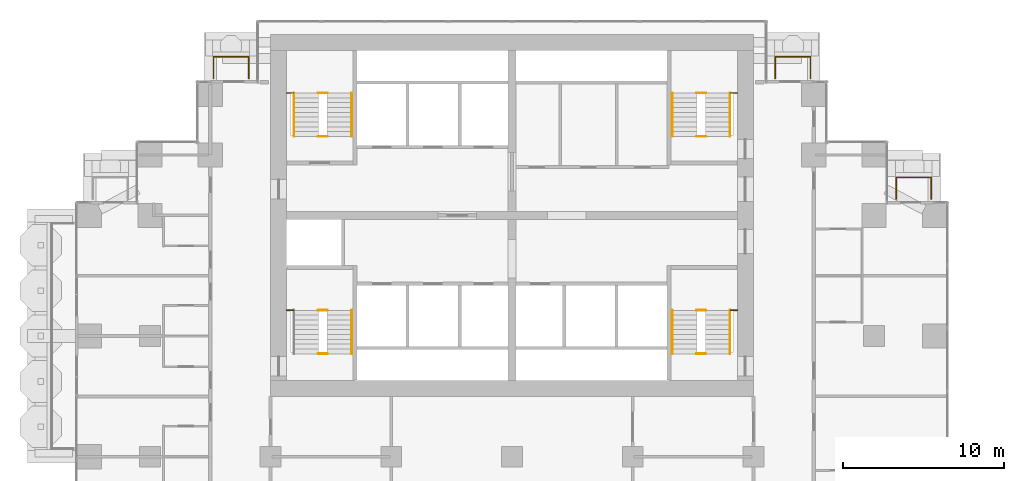
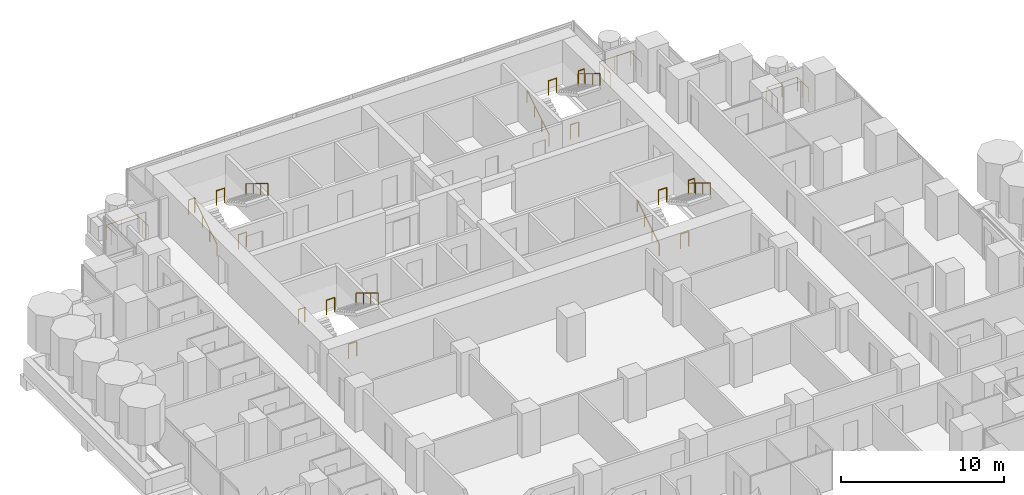
# One storey, part 17 of 18: 22 railings.
"""IFC4 building model written with IfcOpenShell, lengths in metres."""

from ifc_helpers import new_model, si_unit, direction, frame, origin, origin_2d, place, context, subcontext, project, spatial, circle, extrude, material, type_object, element, save


model = new_model("IFC4")

# Units and contexts
model_context = context("Model", 3, precision=1e-05, world=origin(), true_north=direction((0.0, 1.0)))
body_context = subcontext(model_context, "Body", "Model", "MODEL_VIEW")
ifc_project = project(units=[si_unit("LENGTHUNIT", "METRE"), si_unit("AREAUNIT", "SQUARE_METRE"), si_unit("VOLUMEUNIT", "CUBIC_METRE"), si_unit("PLANEANGLEUNIT", "RADIAN"), si_unit("MASSUNIT", "GRAM", prefix="KILO")], contexts=[model_context])

# Site, building, storey
site_placement = place(None, origin())
site = spatial("IfcSite", under=ifc_project, at=site_placement, CompositionType="ELEMENT")
building_placement = place(site_placement, origin())
building = spatial("IfcBuilding", under=site, at=building_placement, Name="Pilkhan Gate Tower", CompositionType="ELEMENT")
storey_placement = place(building_placement, frame((0.0, 0.0, 75.800048828125)))
storey = spatial("IfcBuildingStorey", under=building, at=storey_placement, Name="L17", CompositionType="ELEMENT", Elevation=75.800048828125)

# Railings
ifc_material_1 = material(Name="Pale anodised aluminium posts, laminated glass infill", Category="aluminium")
railing_type_1 = type_object("IfcRailingType", Name="Balcony guard G1", PredefinedType="BALUSTRADE", material=ifc_material_1)
for number, where, name in (
    (1, (56.449951171875, 91.0, 0.0), "Balcony guard L17 N"),
    (2, (91.35009765625, 91.0, 0.0), "Balcony guard L17 N"),
):
    element("IfcRailing", number, at=place(storey_placement, frame(where)), inside=storey, type_object=railing_type_1, Name=name, PredefinedType="BALUSTRADE", context=body_context, shape_type="SweptSolid", body=[
        extrude(circle(Radius=0.02392578125, at=origin_2d()), frame((0.0, 0.0, 1.076171875), z_axis=(0.0, 1.0, 0.0), x_axis=(-1.0, 0.0, 0.0)), (0.0, 0.0, 1.0), 1.35009765625),
        extrude(circle(Radius=0.02392578125, at=origin_2d()), frame((0.0, 1.35009765625, 1.076171875), z_axis=(1.0, 0.0, 0.0), x_axis=(0.0, 1.0, 0.0)), (0.0, 0.0, 1.0), 2.199951171875),
        extrude(circle(Radius=0.02392578125, at=origin_2d()), frame((2.199951171875, 1.35009765625, 1.076171875), z_axis=(0.0, -1.0, 0.0), x_axis=(1.0, 0.0, 0.0)), (0.0, 0.0, 1.0), 1.35009765625),
        extrude(circle(Radius=0.02099609375, at=origin_2d()), origin(), (0.0, 0.0, 1.0), 1.052001953125),
        extrude(circle(Radius=0.02099609375, at=origin_2d()), frame((0.0, 0.675048828125, 0.0)), (0.0, 0.0, 1.0), 1.052001953125),
        extrude(circle(Radius=0.02099609375, at=origin_2d()), frame((0.0, 1.35009765625, 0.0)), (0.0, 0.0, 1.0), 1.052001953125),
        extrude(circle(Radius=0.02099609375, at=origin_2d()), frame((1.10009765625, 1.35009765625, 0.0)), (0.0, 0.0, 1.0), 1.052001953125),
        extrude(circle(Radius=0.02099609375, at=origin_2d()), frame((2.199951171875, 1.35009765625, 0.0)), (0.0, 0.0, 1.0), 1.052001953125),
        extrude(circle(Radius=0.02099609375, at=origin_2d()), frame((2.199951171875, 0.675048828125, 0.0)), (0.0, 0.0, 1.0), 1.052001953125),
        extrude(circle(Radius=0.02099609375, at=origin_2d()), frame((2.199951171875, 0.0, 0.0)), (0.0, 0.0, 1.0), 1.052001953125),
    ])
railing_1_placement = place(storey_placement, frame((98.8701171875, 83.52001953125, 0.0)))
element("IfcRailing", 3, at=railing_1_placement, inside=storey, type_object=railing_type_1, Name="Balcony guard L17 N", PredefinedType="BALUSTRADE", context=body_context, shape_type="SweptSolid", body=[
    extrude(circle(Radius=0.02392578125, at=origin_2d()), frame((0.0, 0.0, 1.076171875), z_axis=(0.0, 1.0, 0.0), x_axis=(-1.0, 0.0, 0.0)), (0.0, 0.0, 1.0), 1.330078125),
    extrude(circle(Radius=0.02392578125, at=origin_2d()), frame((0.0, 1.330078125, 1.076171875), z_axis=(1.0, 0.0, 0.0), x_axis=(0.0, 1.0, 0.0)), (0.0, 0.0, 1.0), 2.179931640625),
    extrude(circle(Radius=0.02392578125, at=origin_2d()), frame((2.179931640625, 1.330078125, 1.076171875), z_axis=(0.0, -1.0, 0.0), x_axis=(1.0, 0.0, 0.0)), (0.0, 0.0, 1.0), 1.330078125),
    extrude(circle(Radius=0.02099609375, at=origin_2d()), origin(), (0.0, 0.0, 1.0), 1.052001953125),
    extrude(circle(Radius=0.02099609375, at=origin_2d()), frame((0.0, 0.6650390625, 0.0)), (0.0, 0.0, 1.0), 1.052001953125),
    extrude(circle(Radius=0.02099609375, at=origin_2d()), frame((0.0, 1.330078125, 0.0)), (0.0, 0.0, 1.0), 1.052001953125),
    extrude(circle(Radius=0.02099609375, at=origin_2d()), frame((1.08984375, 1.330078125, 0.0)), (0.0, 0.0, 1.0), 1.052001953125),
    extrude(circle(Radius=0.02099609375, at=origin_2d()), frame((2.179931640625, 1.330078125, 0.0)), (0.0, 0.0, 1.0), 1.052001953125),
    extrude(circle(Radius=0.02099609375, at=origin_2d()), frame((2.179931640625, 0.6650390625, 0.0)), (0.0, 0.0, 1.0), 1.052001953125),
    extrude(circle(Radius=0.02099609375, at=origin_2d()), frame((2.179931640625, 0.0, 0.0)), (0.0, 0.0, 1.0), 1.052001953125),
])
ifc_material_2 = material(Name="Black powder-coated steel tube", Category="steel")
railing_type_2 = type_object("IfcRailingType", Name="Stair handrail HR1", PredefinedType="HANDRAIL", material=ifc_material_2)
railing_2_placement = place(storey_placement, frame((84.949951171875, 73.89990234375, 0.0)))
element("IfcRailing", 4, at=railing_2_placement, inside=storey, type_object=railing_type_2, Name="Stair ST1 handrail L17", PredefinedType="HANDRAIL", context=body_context, shape_type="SweptSolid", body=[
    extrude(circle(Radius=0.02392578125, at=origin_2d()), frame((0.0, 0.0, 0.8759765625), z_axis=(0.0, 0.853312346642, 0.521400075823), x_axis=(-1.0, 0.0, 0.0)), (0.0, 0.0, 1.0), 3.164306640625),
    extrude(circle(Radius=0.02099609375, at=origin_2d()), origin(), (0.0, 0.0, 1.0), 0.851806640625),
    extrude(circle(Radius=0.02099609375, at=origin_2d()), frame((0.0, 0.900146484375, 0.550048828125)), (0.0, 0.0, 1.0), 0.851806640625),
    extrude(circle(Radius=0.02099609375, at=origin_2d()), frame((0.0, 1.800048828125, 1.099853515625)), (0.0, 0.0, 1.0), 0.851806640625),
    extrude(circle(Radius=0.02099609375, at=origin_2d()), frame((0.0, 2.7001953125, 1.64990234375)), (0.0, 0.0, 1.0), 0.851806640625),
])
for number, where, name in (
    (5, (88.550048828125, 76.60009765625, 1.64990234375), "Stair ST1 handrail L17"),
    (6, (65.050048828125, 76.60009765625, 1.64990234375), "Stair ST2 handrail L17"),
):
    element("IfcRailing", number, at=place(storey_placement, frame(where)), inside=storey, type_object=railing_type_2, Name=name, PredefinedType="HANDRAIL", context=body_context, shape_type="SweptSolid", body=[
        extrude(circle(Radius=0.02392578125, at=origin_2d()), frame((0.0, 0.0, 0.8759765625), z_axis=(0.0, -0.853278019476, 0.521456250781), x_axis=(1.0, 0.0, 0.0)), (0.0, 0.0, 1.0), 3.16455078125),
        extrude(circle(Radius=0.02099609375, at=origin_2d()), origin(), (0.0, 0.0, 1.0), 0.851806640625),
        extrude(circle(Radius=0.02099609375, at=origin_2d()), frame((0.0, -0.900146484375, 0.550048828125)), (0.0, 0.0, 1.0), 0.851806640625),
        extrude(circle(Radius=0.02099609375, at=origin_2d()), frame((0.0, -1.800048828125, 1.10009765625)), (0.0, 0.0, 1.0), 0.851806640625),
        extrude(circle(Radius=0.02099609375, at=origin_2d()), frame((0.0, -2.7001953125, 1.650146484375)), (0.0, 0.0, 1.0), 0.851806640625),
    ])
railing_3_placement = place(storey_placement, frame((61.449951171875, 87.39990234375, 0.0)))
element("IfcRailing", 7, at=railing_3_placement, inside=storey, type_object=railing_type_2, Name="Stair ST3 handrail L17", PredefinedType="HANDRAIL", context=body_context, shape_type="SweptSolid", body=[
    extrude(circle(Radius=0.02392578125, at=origin_2d()), frame((0.0, 0.0, 0.8759765625), z_axis=(0.0, 0.853312346642, 0.521400075823), x_axis=(-1.0, 0.0, 0.0)), (0.0, 0.0, 1.0), 3.164306640625),
    extrude(circle(Radius=0.02099609375, at=origin_2d()), origin(), (0.0, 0.0, 1.0), 0.851806640625),
    extrude(circle(Radius=0.02099609375, at=origin_2d()), frame((0.0, 0.900146484375, 0.550048828125)), (0.0, 0.0, 1.0), 0.851806640625),
    extrude(circle(Radius=0.02099609375, at=origin_2d()), frame((0.0, 1.800048828125, 1.099853515625)), (0.0, 0.0, 1.0), 0.851806640625),
    extrude(circle(Radius=0.02099609375, at=origin_2d()), frame((0.0, 2.7001953125, 1.64990234375)), (0.0, 0.0, 1.0), 0.851806640625),
])
railing_4_placement = place(storey_placement, frame((65.050048828125, 90.10009765625, 1.64990234375)))
element("IfcRailing", 8, at=railing_4_placement, inside=storey, type_object=railing_type_2, Name="Stair ST3 handrail L17", PredefinedType="HANDRAIL", context=body_context, shape_type="SweptSolid", body=[
    extrude(circle(Radius=0.02392578125, at=origin_2d()), frame((0.0, 0.0, 0.8759765625), z_axis=(0.0, -0.853278019476, 0.521456250781), x_axis=(1.0, 0.0, 0.0)), (0.0, 0.0, 1.0), 3.16455078125),
    extrude(circle(Radius=0.02099609375, at=origin_2d()), origin(), (0.0, 0.0, 1.0), 0.851806640625),
    extrude(circle(Radius=0.02099609375, at=origin_2d()), frame((0.0, -0.900146484375, 0.550048828125)), (0.0, 0.0, 1.0), 0.851806640625),
    extrude(circle(Radius=0.02099609375, at=origin_2d()), frame((0.0, -1.800048828125, 1.10009765625)), (0.0, 0.0, 1.0), 0.851806640625),
    extrude(circle(Radius=0.02099609375, at=origin_2d()), frame((0.0, -2.7001953125, 1.650146484375)), (0.0, 0.0, 1.0), 0.851806640625),
])
railing_5_placement = place(storey_placement, frame((84.949951171875, 87.39990234375, 0.0)))
element("IfcRailing", 9, at=railing_5_placement, inside=storey, type_object=railing_type_2, Name="Stair ST4 handrail L17", PredefinedType="HANDRAIL", context=body_context, shape_type="SweptSolid", body=[
    extrude(circle(Radius=0.02392578125, at=origin_2d()), frame((0.0, 0.0, 0.8759765625), z_axis=(0.0, 0.853312346642, 0.521400075823), x_axis=(-1.0, 0.0, 0.0)), (0.0, 0.0, 1.0), 3.164306640625),
    extrude(circle(Radius=0.02099609375, at=origin_2d()), origin(), (0.0, 0.0, 1.0), 0.851806640625),
    extrude(circle(Radius=0.02099609375, at=origin_2d()), frame((0.0, 0.900146484375, 0.550048828125)), (0.0, 0.0, 1.0), 0.851806640625),
    extrude(circle(Radius=0.02099609375, at=origin_2d()), frame((0.0, 1.800048828125, 1.099853515625)), (0.0, 0.0, 1.0), 0.851806640625),
    extrude(circle(Radius=0.02099609375, at=origin_2d()), frame((0.0, 2.7001953125, 1.64990234375)), (0.0, 0.0, 1.0), 0.851806640625),
])
railing_6_placement = place(storey_placement, frame((88.550048828125, 90.10009765625, 1.64990234375)))
element("IfcRailing", 10, at=railing_6_placement, inside=storey, type_object=railing_type_2, Name="Stair ST4 handrail L17", PredefinedType="HANDRAIL", context=body_context, shape_type="SweptSolid", body=[
    extrude(circle(Radius=0.02392578125, at=origin_2d()), frame((0.0, 0.0, 0.8759765625), z_axis=(0.0, -0.853278019476, 0.521456250781), x_axis=(1.0, 0.0, 0.0)), (0.0, 0.0, 1.0), 3.16455078125),
    extrude(circle(Radius=0.02099609375, at=origin_2d()), origin(), (0.0, 0.0, 1.0), 0.851806640625),
    extrude(circle(Radius=0.02099609375, at=origin_2d()), frame((0.0, -0.900146484375, 0.550048828125)), (0.0, 0.0, 1.0), 0.851806640625),
    extrude(circle(Radius=0.02099609375, at=origin_2d()), frame((0.0, -1.800048828125, 1.10009765625)), (0.0, 0.0, 1.0), 0.851806640625),
    extrude(circle(Radius=0.02099609375, at=origin_2d()), frame((0.0, -2.7001953125, 1.650146484375)), (0.0, 0.0, 1.0), 0.851806640625),
])
ifc_material_3 = material(Name="Black powder-coated steel balusters", Category="steel")
railing_type_3 = type_object("IfcRailingType", Name="Stair well guard G3", PredefinedType="GUARDRAIL", material=ifc_material_3)
railing_7_placement = place(storey_placement, frame((88.580078125, 76.60009765625, 1.64990234375)))
element("IfcRailing", 11, at=railing_7_placement, inside=storey, type_object=railing_type_3, Name="Stair ST1 well guard L17", PredefinedType="GUARDRAIL", context=body_context, shape_type="SweptSolid", body=[
    extrude(circle(Radius=0.02392578125, at=origin_2d()), frame((0.0, 0.0, 1.076171875), z_axis=(1.0, 0.0, 0.0), x_axis=(0.0, 1.0, 0.0)), (0.0, 0.0, 1.0), 0.43994140625),
    extrude(circle(Radius=0.02099609375, at=origin_2d()), origin(), (0.0, 0.0, 1.0), 1.052001953125),
    extrude(circle(Radius=0.02099609375, at=origin_2d()), frame((0.43994140625, 0.0, 0.0)), (0.0, 0.0, 1.0), 1.052001953125),
])
for number, where, name in (
    (12, (86.4599609375, 73.89990234375, 0.0), "Stair ST1 well guard L17"),
    (13, (86.4599609375, 76.60009765625, 1.64990234375), "Stair ST1 well guard L17"),
):
    element("IfcRailing", number, at=place(storey_placement, frame(where)), inside=storey, type_object=railing_type_3, Name=name, PredefinedType="GUARDRAIL", context=body_context, shape_type="SweptSolid", body=[
        extrude(circle(Radius=0.02392578125, at=origin_2d()), frame((0.0, 0.0, 1.076171875), z_axis=(1.0, 0.0, 0.0), x_axis=(0.0, 1.0, 0.0)), (0.0, 0.0, 1.0), 0.580078125),
        extrude(circle(Radius=0.02099609375, at=origin_2d()), origin(), (0.0, 0.0, 1.0), 1.052001953125),
        extrude(circle(Radius=0.02099609375, at=origin_2d()), frame((0.580078125, 0.0, 0.0)), (0.0, 0.0, 1.0), 1.052001953125),
    ])
railing_8_placement = place(storey_placement, frame((60.97998046875, 76.60009765625, 1.64990234375)))
element("IfcRailing", 14, at=railing_8_placement, inside=storey, type_object=railing_type_3, Name="Stair ST2 well guard L17", PredefinedType="GUARDRAIL", context=body_context, shape_type="SweptSolid", body=[
    extrude(circle(Radius=0.02392578125, at=origin_2d()), frame((0.0, 0.0, 1.076171875), z_axis=(1.0, 0.0, 0.0), x_axis=(0.0, 1.0, 0.0)), (0.0, 0.0, 1.0), 0.43994140625),
    extrude(circle(Radius=0.02099609375, at=origin_2d()), origin(), (0.0, 0.0, 1.0), 1.052001953125),
    extrude(circle(Radius=0.02099609375, at=origin_2d()), frame((0.43994140625, 0.0, 0.0)), (0.0, 0.0, 1.0), 1.052001953125),
])
for number, where, name in (
    (15, (62.9599609375, 73.89990234375, 0.0), "Stair ST2 well guard L17"),
    (16, (62.9599609375, 76.60009765625, 1.64990234375), "Stair ST2 well guard L17"),
):
    element("IfcRailing", number, at=place(storey_placement, frame(where)), inside=storey, type_object=railing_type_3, Name=name, PredefinedType="GUARDRAIL", context=body_context, shape_type="SweptSolid", body=[
        extrude(circle(Radius=0.02392578125, at=origin_2d()), frame((0.0, 0.0, 1.076171875), z_axis=(1.0, 0.0, 0.0), x_axis=(0.0, 1.0, 0.0)), (0.0, 0.0, 1.0), 0.580078125),
        extrude(circle(Radius=0.02099609375, at=origin_2d()), origin(), (0.0, 0.0, 1.0), 1.052001953125),
        extrude(circle(Radius=0.02099609375, at=origin_2d()), frame((0.580078125, 0.0, 0.0)), (0.0, 0.0, 1.0), 1.052001953125),
    ])
railing_9_placement = place(storey_placement, frame((60.97998046875, 90.10009765625, 1.64990234375)))
element("IfcRailing", 17, at=railing_9_placement, inside=storey, type_object=railing_type_3, Name="Stair ST3 well guard L17", PredefinedType="GUARDRAIL", context=body_context, shape_type="SweptSolid", body=[
    extrude(circle(Radius=0.02392578125, at=origin_2d()), frame((0.0, 0.0, 1.076171875), z_axis=(1.0, 0.0, 0.0), x_axis=(0.0, 1.0, 0.0)), (0.0, 0.0, 1.0), 0.43994140625),
    extrude(circle(Radius=0.02099609375, at=origin_2d()), origin(), (0.0, 0.0, 1.0), 1.052001953125),
    extrude(circle(Radius=0.02099609375, at=origin_2d()), frame((0.43994140625, 0.0, 0.0)), (0.0, 0.0, 1.0), 1.052001953125),
])
for number, where, name in (
    (18, (62.9599609375, 87.39990234375, 0.0), "Stair ST3 well guard L17"),
    (19, (62.9599609375, 90.10009765625, 1.64990234375), "Stair ST3 well guard L17"),
):
    element("IfcRailing", number, at=place(storey_placement, frame(where)), inside=storey, type_object=railing_type_3, Name=name, PredefinedType="GUARDRAIL", context=body_context, shape_type="SweptSolid", body=[
        extrude(circle(Radius=0.02392578125, at=origin_2d()), frame((0.0, 0.0, 1.076171875), z_axis=(1.0, 0.0, 0.0), x_axis=(0.0, 1.0, 0.0)), (0.0, 0.0, 1.0), 0.580078125),
        extrude(circle(Radius=0.02099609375, at=origin_2d()), origin(), (0.0, 0.0, 1.0), 1.052001953125),
        extrude(circle(Radius=0.02099609375, at=origin_2d()), frame((0.580078125, 0.0, 0.0)), (0.0, 0.0, 1.0), 1.052001953125),
    ])
railing_10_placement = place(storey_placement, frame((88.580078125, 90.10009765625, 1.64990234375)))
element("IfcRailing", 20, at=railing_10_placement, inside=storey, type_object=railing_type_3, Name="Stair ST4 well guard L17", PredefinedType="GUARDRAIL", context=body_context, shape_type="SweptSolid", body=[
    extrude(circle(Radius=0.02392578125, at=origin_2d()), frame((0.0, 0.0, 1.076171875), z_axis=(1.0, 0.0, 0.0), x_axis=(0.0, 1.0, 0.0)), (0.0, 0.0, 1.0), 0.43994140625),
    extrude(circle(Radius=0.02099609375, at=origin_2d()), origin(), (0.0, 0.0, 1.0), 1.052001953125),
    extrude(circle(Radius=0.02099609375, at=origin_2d()), frame((0.43994140625, 0.0, 0.0)), (0.0, 0.0, 1.0), 1.052001953125),
])
for number, where, name in (
    (21, (86.4599609375, 87.39990234375, 0.0), "Stair ST4 well guard L17"),
    (22, (86.4599609375, 90.10009765625, 1.64990234375), "Stair ST4 well guard L17"),
):
    element("IfcRailing", number, at=place(storey_placement, frame(where)), inside=storey, type_object=railing_type_3, Name=name, PredefinedType="GUARDRAIL", context=body_context, shape_type="SweptSolid", body=[
        extrude(circle(Radius=0.02392578125, at=origin_2d()), frame((0.0, 0.0, 1.076171875), z_axis=(1.0, 0.0, 0.0), x_axis=(0.0, 1.0, 0.0)), (0.0, 0.0, 1.0), 0.580078125),
        extrude(circle(Radius=0.02099609375, at=origin_2d()), origin(), (0.0, 0.0, 1.0), 1.052001953125),
        extrude(circle(Radius=0.02099609375, at=origin_2d()), frame((0.580078125, 0.0, 0.0)), (0.0, 0.0, 1.0), 1.052001953125),
    ])

save(model, "model.ifc")
